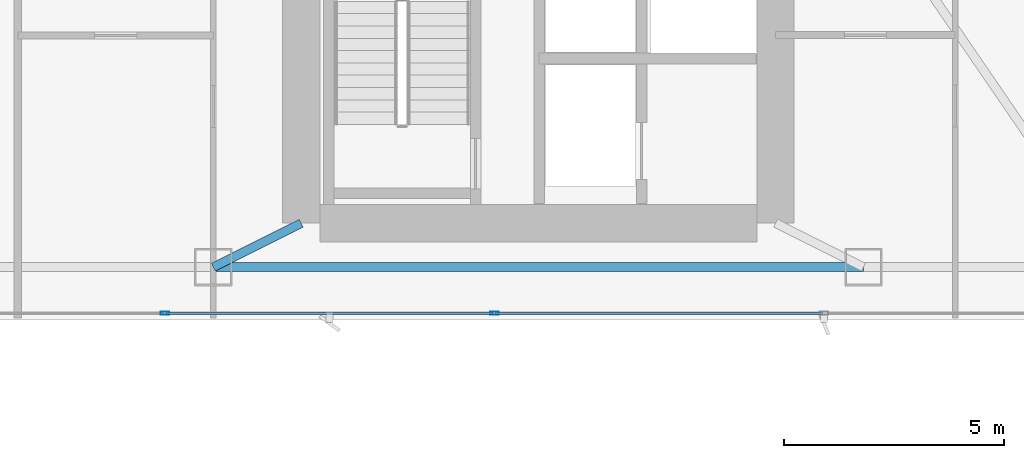
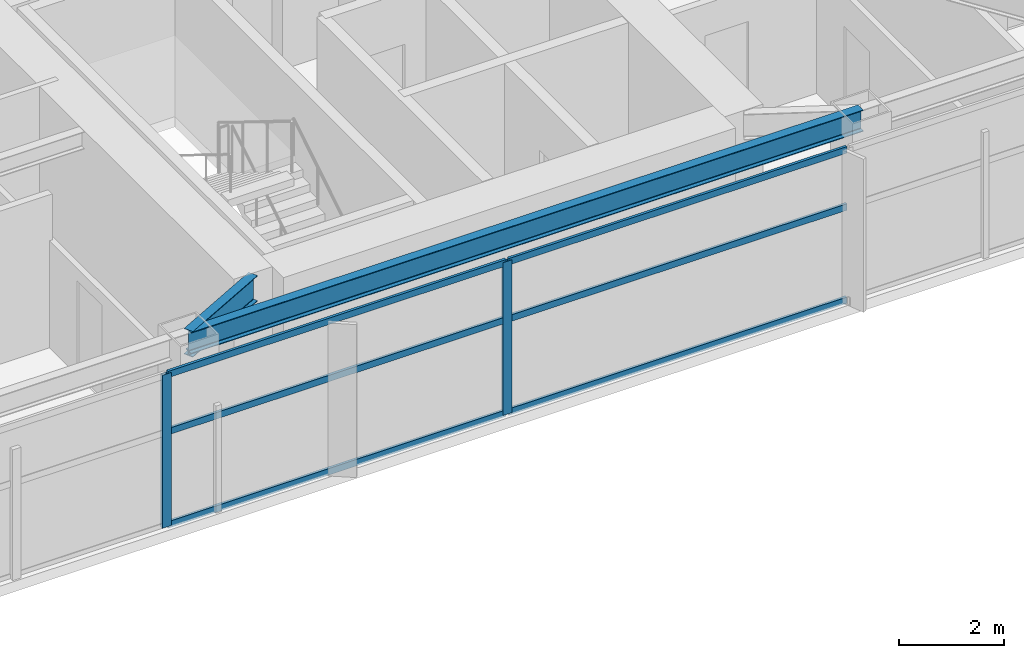
# One storey, part 6 of 28: 8 members, 2 beams, 1 element without a shape of its own.
"""IFC4 building model written with IfcOpenShell, lengths in metres."""

from ifc_helpers import new_model, si_unit, direction, frame, origin, origin_2d, place, context, subcontext, project, spatial, hollow_rectangle, i_section, extrude, material, layer, layer_set, material_profile, profile_set, type_object, element, aggregate, save


model = new_model("IFC4")

# Units and contexts
model_context = context("Model", 3, precision=1e-05, world=origin(), true_north=direction((0.0, 1.0)))
body_context = subcontext(model_context, "Body", "Model", "MODEL_VIEW")
ifc_project = project(units=[si_unit("LENGTHUNIT", "METRE"), si_unit("AREAUNIT", "SQUARE_METRE"), si_unit("VOLUMEUNIT", "CUBIC_METRE"), si_unit("PLANEANGLEUNIT", "RADIAN"), si_unit("MASSUNIT", "GRAM", prefix="KILO")], contexts=[model_context])

# Site, building, storey
site_placement = place(None, origin())
site = spatial("IfcSite", under=ifc_project, at=site_placement, CompositionType="ELEMENT")
building_placement = place(site_placement, origin())
building = spatial("IfcBuilding", under=site, at=building_placement, Name="Calvorn Quay Hotel", CompositionType="ELEMENT")
storey_placement = place(building_placement, frame((0.0, 0.0, 152.300048828125)))
storey = spatial("IfcBuildingStorey", under=building, at=storey_placement, Name="L37", CompositionType="ELEMENT", Elevation=152.300048828125)

# Beams
ifc_material_1 = material(Name="Steel Q355B", Category="steel")
ifc_material_profile_1 = material_profile(ifc_material_1, i_section(OverallWidth=0.199951171875, OverallDepth=0.60009765625, WebThickness=0.010986328125, FlangeThickness=0.01708984375, FilletRadius=0.01806640625, at=origin_2d()), Name="HN600x200x11x17")
ifc_profile_set_1 = profile_set([ifc_material_profile_1], Name="Steel Q355B")
beam_type_1 = type_object("IfcBeamType", Name="BM-GIRD-TYP", PredefinedType="BEAM", material=ifc_profile_set_1)
beam_1_placement = place(storey_placement, frame((19.60009765625, 3.60009765625, 3.239990234375), z_axis=(0.894427191, 0.4472135955, 0.0), x_axis=(-0.4472135955, 0.894427191, 0.0)))
element("IfcBeam", 1, at=beam_1_placement, inside=storey, type_object=beam_type_1, Name="Beam BG-L37-S2", PredefinedType="BEAM", context=body_context, shape_type="SweptSolid", body=[
    extrude(i_section(OverallWidth=0.199951171875, OverallDepth=0.60009765625, WebThickness=0.010986328125, FlangeThickness=0.01708984375, FilletRadius=0.01806640625, at=origin_2d()), origin(), (0.0, 0.0, 1.0), 2.236083984375),
])
ifc_material_2 = material(Name="Steel Q355B", Category="steel")
ifc_material_profile_2 = material_profile(ifc_material_2, i_section(OverallWidth=0.199951171875, OverallDepth=0.5, WebThickness=0.010009765625, FlangeThickness=0.01611328125, FilletRadius=0.01611328125, at=origin_2d()), Name="HN500x200x10x16")
ifc_profile_set_2 = profile_set([ifc_material_profile_2], Name="Steel Q355B")
beam_type_2 = type_object("IfcBeamType", Name="BM-SPANDREL-Z1", PredefinedType="SPANDREL", material=ifc_profile_set_2)
beam_2_placement = place(storey_placement, frame((19.60009765625, 3.60009765625, 3.2900390625), z_axis=(1.0, 0.0, 0.0), x_axis=(0.0, 1.0, 0.0)))
element("IfcBeam", 2, at=beam_2_placement, inside=storey, type_object=beam_type_2, Name="Beam BSP-L37-S3", PredefinedType="SPANDREL", context=body_context, shape_type="SweptSolid", body=[
    extrude(i_section(OverallWidth=0.199951171875, OverallDepth=0.5, WebThickness=0.010009765625, FlangeThickness=0.01611328125, FilletRadius=0.01611328125, at=origin_2d()), origin(), (0.0, 0.0, 1.0), 14.7998046875),
])

# Curtain wall, members
ifc_material_3 = material(Name="Pale Anodised Aluminium and Low-E Glass", Category="aluminium")
ifc_layer = layer(ifc_material_3, 0.219970703125)
ifc_layer_set = layer_set([ifc_layer], Name="CW-SYS-Z2")
curtain_wall_type = type_object("IfcCurtainWallType", Name="CW-SYS-Z2", PredefinedType="NOTDEFINED", material=ifc_layer_set)
curtain_wall_placement = place(storey_placement, origin())
curtain_wall = element("IfcCurtainWall", 3, at=curtain_wall_placement, inside=storey, type_object=curtain_wall_type, Name="Tower South Waterfront Curtain Wall (L37)", PredefinedType="NOTDEFINED")
ifc_material_4 = material(Name="Pale Anodised Aluminium 6063-T6", Category="aluminium")
ifc_material_profile_3 = material_profile(ifc_material_4, hollow_rectangle(XDim=0.070068359375, YDim=0.199951171875, WallThickness=0.00390625, at=origin_2d()), Name="ALU-M200x70x4")
ifc_profile_set_3 = profile_set([ifc_material_profile_3], Name="Pale Anodised Aluminium 6063-T6")
member_type_1 = type_object("IfcMemberType", Name="CW-SYS-Z2-MUL", PredefinedType="MULLION", material=ifc_profile_set_3)
member_1_placement = place(storey_placement, frame((18.5, 2.550048828125, 0.0), z_axis=(0.0, 0.0, 1.0), x_axis=(0.0, 1.0, 0.0)))
member_1 = element("IfcMember", 4, at=member_1_placement, type_object=member_type_1, Name="CW-L37-S mullion 2", PredefinedType="MULLION", context=body_context, shape_type="SweptSolid", body=[
    extrude(hollow_rectangle(XDim=0.070068359375, YDim=0.199951171875, WallThickness=0.00390625, at=origin_2d()), origin(), (0.0, 0.0, 1.0), 3.56005859375),
])
member_2_placement = place(storey_placement, frame((26.0, 2.550048828125, 0.0), z_axis=(0.0, 0.0, 1.0), x_axis=(0.0, 1.0, 0.0)))
member_2 = element("IfcMember", 5, at=member_2_placement, type_object=member_type_1, Name="CW-L37-S mullion 3", PredefinedType="MULLION", context=body_context, shape_type="SweptSolid", body=[
    extrude(hollow_rectangle(XDim=0.070068359375, YDim=0.199951171875, WallThickness=0.00390625, at=origin_2d()), origin(), (0.0, 0.0, 1.0), 3.56005859375),
])
ifc_material_5 = material(Name="Pale Anodised Aluminium 6063-T6", Category="aluminium")
ifc_material_profile_4 = material_profile(ifc_material_5, hollow_rectangle(XDim=0.06005859375, YDim=0.14990234375, WallThickness=0.00341796875, at=origin_2d()), Name="ALU-T150x60x3.5")
ifc_profile_set_4 = profile_set([ifc_material_profile_4], Name="Pale Anodised Aluminium 6063-T6")
member_type_2 = type_object("IfcMemberType", Name="CW-SYS-Z2-TRN", PredefinedType="USERDEFINED", material=ifc_profile_set_4)
member_3_placement = place(storey_placement, frame((18.530029296875, 2.550048828125, 0.030029296875), z_axis=(1.0, 0.0, 0.0), x_axis=(0.0, 1.0, 0.0)))
member_3 = element("IfcMember", 6, at=member_3_placement, type_object=member_type_2, Name="CW-L37-S transom 2.1", ObjectType="TRANSOM", PredefinedType="USERDEFINED", context=body_context, shape_type="SweptSolid", body=[
    extrude(hollow_rectangle(XDim=0.06005859375, YDim=0.14990234375, WallThickness=0.00341796875, at=origin_2d()), origin(), (0.0, 0.0, 1.0), 7.43994140625),
])
member_4_placement = place(storey_placement, frame((18.530029296875, 2.550048828125, 2.199951171875), z_axis=(1.0, 0.0, 0.0), x_axis=(0.0, 1.0, 0.0)))
member_4 = element("IfcMember", 7, at=member_4_placement, type_object=member_type_2, Name="CW-L37-S transom 2.2", ObjectType="TRANSOM", PredefinedType="USERDEFINED", context=body_context, shape_type="SweptSolid", body=[
    extrude(hollow_rectangle(XDim=0.06005859375, YDim=0.14990234375, WallThickness=0.00341796875, at=origin_2d()), origin(), (0.0, 0.0, 1.0), 7.43994140625),
])
member_5_placement = place(storey_placement, frame((18.530029296875, 2.550048828125, 3.530029296875), z_axis=(1.0, 0.0, 0.0), x_axis=(0.0, 1.0, 0.0)))
member_5 = element("IfcMember", 8, at=member_5_placement, type_object=member_type_2, Name="CW-L37-S transom 2.3", ObjectType="TRANSOM", PredefinedType="USERDEFINED", context=body_context, shape_type="SweptSolid", body=[
    extrude(hollow_rectangle(XDim=0.06005859375, YDim=0.14990234375, WallThickness=0.00341796875, at=origin_2d()), origin(), (0.0, 0.0, 1.0), 7.43994140625),
])
member_6_placement = place(storey_placement, frame((26.030029296875, 2.550048828125, 0.030029296875), z_axis=(1.0, 0.0, 0.0), x_axis=(0.0, 1.0, 0.0)))
member_6 = element("IfcMember", 9, at=member_6_placement, type_object=member_type_2, Name="CW-L37-S transom 3.1", ObjectType="TRANSOM", PredefinedType="USERDEFINED", context=body_context, shape_type="SweptSolid", body=[
    extrude(hollow_rectangle(XDim=0.06005859375, YDim=0.14990234375, WallThickness=0.00341796875, at=origin_2d()), origin(), (0.0, 0.0, 1.0), 7.43994140625),
])
member_7_placement = place(storey_placement, frame((26.030029296875, 2.550048828125, 2.199951171875), z_axis=(1.0, 0.0, 0.0), x_axis=(0.0, 1.0, 0.0)))
member_7 = element("IfcMember", 10, at=member_7_placement, type_object=member_type_2, Name="CW-L37-S transom 3.2", ObjectType="TRANSOM", PredefinedType="USERDEFINED", context=body_context, shape_type="SweptSolid", body=[
    extrude(hollow_rectangle(XDim=0.06005859375, YDim=0.14990234375, WallThickness=0.00341796875, at=origin_2d()), origin(), (0.0, 0.0, 1.0), 7.43994140625),
])
member_8_placement = place(storey_placement, frame((26.030029296875, 2.550048828125, 3.530029296875), z_axis=(1.0, 0.0, 0.0), x_axis=(0.0, 1.0, 0.0)))
member_8 = element("IfcMember", 11, at=member_8_placement, type_object=member_type_2, Name="CW-L37-S transom 3.3", ObjectType="TRANSOM", PredefinedType="USERDEFINED", context=body_context, shape_type="SweptSolid", body=[
    extrude(hollow_rectangle(XDim=0.06005859375, YDim=0.14990234375, WallThickness=0.00341796875, at=origin_2d()), origin(), (0.0, 0.0, 1.0), 7.43994140625),
])
aggregate(curtain_wall, [member_1, member_2, member_3, member_4, member_5, member_6, member_7, member_8])

save(model, "model.ifc")
